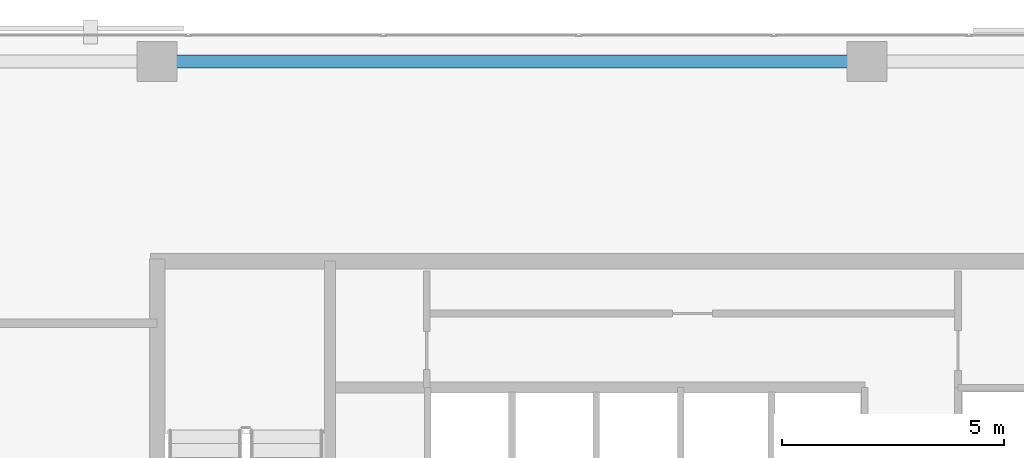
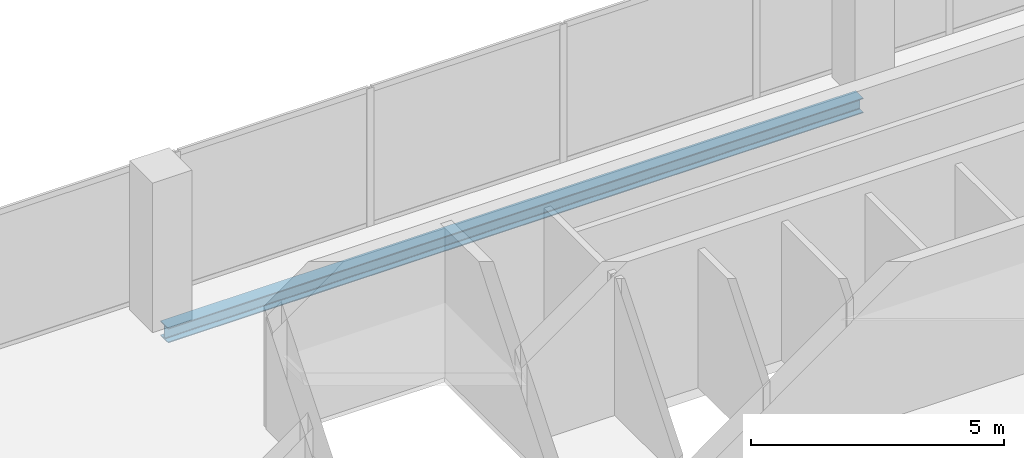
# One storey, part 21 of 33: 1 beam.
"""IFC4 building model written with IfcOpenShell, lengths in metres."""

from ifc_helpers import new_model, si_unit, direction, frame, origin, origin_2d, place, context, subcontext, project, spatial, i_section, extrude, material, material_profile, profile_set, type_object, element, save


model = new_model("IFC4")

# Units and contexts
model_context = context("Model", 3, precision=1e-05, world=origin(), true_north=direction((0.0, 1.0)))
body_context = subcontext(model_context, "Body", "Model", "MODEL_VIEW")
ifc_project = project(units=[si_unit("LENGTHUNIT", "METRE"), si_unit("AREAUNIT", "SQUARE_METRE"), si_unit("VOLUMEUNIT", "CUBIC_METRE"), si_unit("PLANEANGLEUNIT", "RADIAN"), si_unit("MASSUNIT", "GRAM", prefix="KILO")], contexts=[model_context])

# Site, building, storey
site_placement = place(None, origin())
site = spatial("IfcSite", under=ifc_project, at=site_placement, CompositionType="ELEMENT")
building_placement = place(site_placement, origin())
building = spatial("IfcBuilding", under=site, at=building_placement, Name="Catumbela Crestline Tower", CompositionType="ELEMENT")
storey_placement = place(building_placement, frame((0.0, 0.0, 108.0)))
storey = spatial("IfcBuildingStorey", under=building, at=storey_placement, Name="L27", CompositionType="ELEMENT", Elevation=108.0)

# Beam
ifc_material = material(Name="Structural steel S355J2", Category="steel")
ifc_material_profile = material_profile(ifc_material, i_section(OverallWidth=0.3, OverallDepth=0.36, WebThickness=0.0125, FlangeThickness=0.0225, FilletRadius=0.027, at=origin_2d()), Name="HEB 360")
ifc_profile_set = profile_set([ifc_material_profile], Name="Structural steel S355J2")
beam_type = type_object("IfcBeamType", Name="BS-HEB360", PredefinedType="SPANDREL", material=ifc_profile_set)
beam_placement = place(storey_placement, frame((16.08, 47.4, -0.44), z_axis=(1.0, 0.0, 0.0), x_axis=(0.0, 1.0, 0.0)))
element("IfcBeam", 1, at=beam_placement, inside=storey, type_object=beam_type, Name="L27 Spandrel SP-L27-NF19", PredefinedType="SPANDREL", context=body_context, shape_type="SweptSolid", body=[
    extrude(i_section(OverallWidth=0.3, OverallDepth=0.36, WebThickness=0.0125, FlangeThickness=0.0225, FilletRadius=0.027, at=origin_2d()), origin(), (0.0, 0.0, 1.0), 15.84),
])

save(model, "model.ifc")
